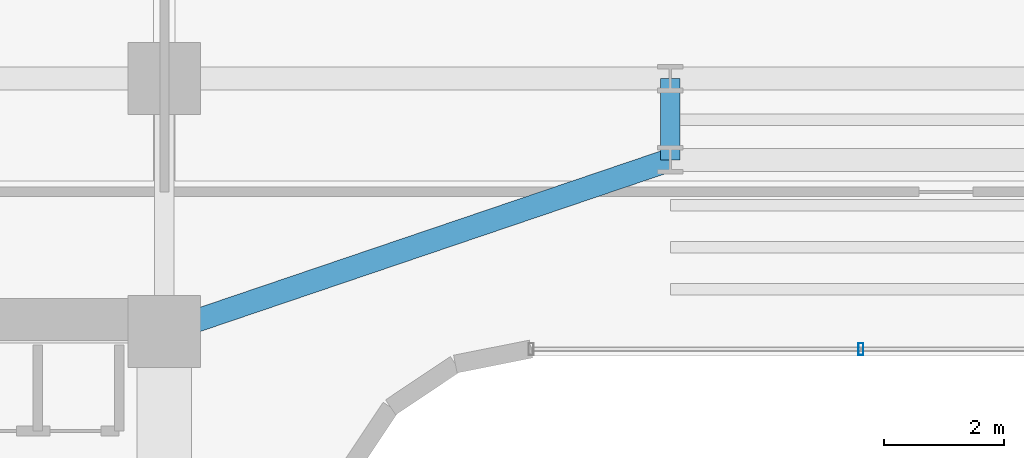
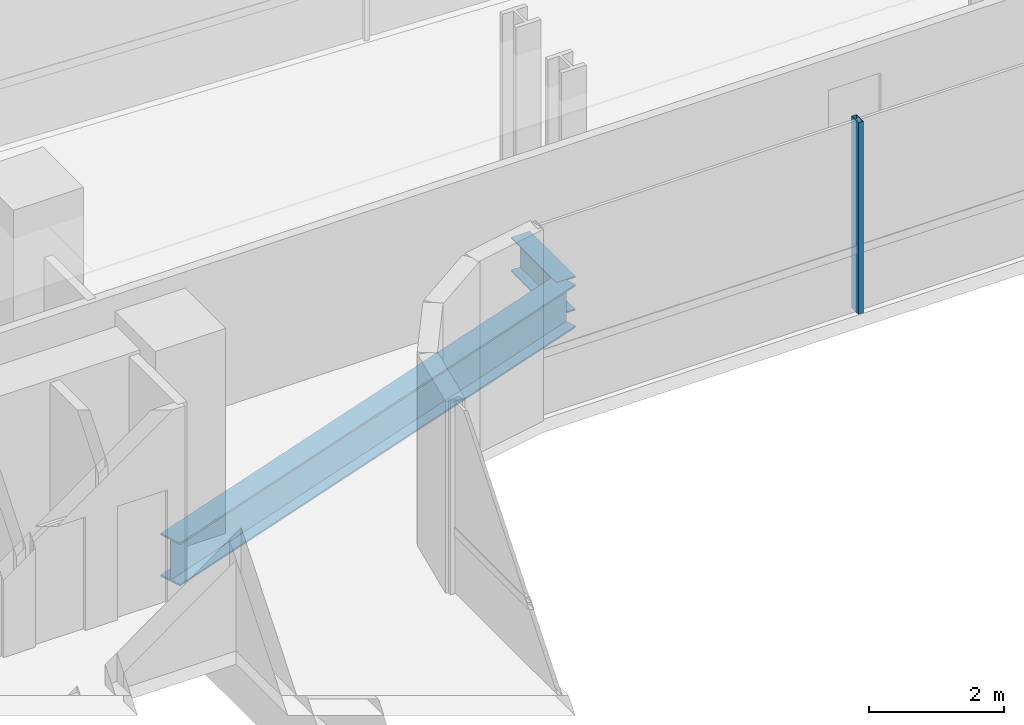
# One storey, part 11 of 35: 2 beams, 1 member, 1 element without a shape of its own.
"""IFC4 building model written with IfcOpenShell, lengths in metres."""

from ifc_helpers import new_model, si_unit, direction, frame, origin, origin_2d, place, context, subcontext, project, spatial, hollow_rectangle, i_section, extrude, source, transform, mapped, material, material_profile, profile_set, type_object, element, aggregate, save


model = new_model("IFC4")

# Units and contexts
model_context = context("Model", 3, precision=1e-05, world=origin(), true_north=direction((0.0, 1.0)))
body_context = subcontext(model_context, "Body", "Model", "MODEL_VIEW")
ifc_project = project(units=[si_unit("LENGTHUNIT", "METRE"), si_unit("AREAUNIT", "SQUARE_METRE"), si_unit("VOLUMEUNIT", "CUBIC_METRE"), si_unit("PLANEANGLEUNIT", "RADIAN"), si_unit("MASSUNIT", "GRAM", prefix="KILO")], contexts=[model_context])

# Site, building, storey
site_placement = place(None, origin())
site = spatial("IfcSite", under=ifc_project, at=site_placement, CompositionType="ELEMENT")
building_placement = place(site_placement, origin())
building = spatial("IfcBuilding", under=site, at=building_placement, Name="Valdorenza Pilgrim Sanctuary Tower", CompositionType="ELEMENT")
storey_placement = place(building_placement, frame((0.0, 0.0, 124.199951171875)))
storey = spatial("IfcBuildingStorey", under=building, at=storey_placement, Name="L31", CompositionType="ELEMENT", Elevation=124.199951171875)

# Beams
ifc_material_1 = material(Name="Steel ASTM A992 Grade 50", Category="steel")
ifc_material_profile_1 = material_profile(ifc_material_1, i_section(OverallWidth=0.323974609375, OverallDepth=0.611083984375, WebThickness=0.0126953125, FlangeThickness=0.01904296875, at=origin_2d()), Name="W24X104")
ifc_profile_set_1 = profile_set([ifc_material_profile_1], Name="Steel ASTM A992 Grade 50")
beam_type_1 = type_object("IfcBeamType", Name="STR-BM-GRD-W24B", PredefinedType="BEAM", material=ifc_profile_set_1)
shared_shape_1 = source(origin(), body_context, "Body", "SweptSolid", [
    extrude(i_section(OverallWidth=0.323974609375, OverallDepth=0.611083984375, WebThickness=0.0126953125, FlangeThickness=0.01904296875, at=origin_2d()), origin(), (0.0, 0.0, 1.0), 1.35009765625),
])
beam_1_placement = place(storey_placement, frame((-4.0, 13.449951171875, -0.54541015625), z_axis=(0.0, 1.0, 0.0), x_axis=(-1.0, 0.0, 0.0)))
element("IfcBeam", 1, at=beam_1_placement, inside=storey, type_object=beam_type_1, Name="L31 Floor Girder KNK-TIE-W", PredefinedType="BEAM", context=body_context, shape_type="MappedRepresentation", body=[
    mapped(shared_shape_1, transform((0.0, 0.0, 0.0), x_axis=(1.0, 0.0, 0.0), y_axis=(0.0, 1.0, 0.0), z_axis=(0.0, 0.0, 1.0), scale=1.0)),
])
ifc_material_profile_2 = material_profile(ifc_material_1, i_section(OverallWidth=0.382080078125, OverallDepth=0.779052734375, WebThickness=0.01806640625, FlangeThickness=0.030029296875, at=origin_2d()), Name="W30X191")
ifc_profile_set_2 = profile_set([ifc_material_profile_2], Name="Steel ASTM A992 Grade 50")
beam_type_2 = type_object("IfcBeamType", Name="STR-BM-GRD-W30", PredefinedType="BEAM", material=ifc_profile_set_2)
shared_shape_2 = source(origin(), body_context, "Body", "SweptSolid", [
    extrude(i_section(OverallWidth=0.382080078125, OverallDepth=0.779052734375, WebThickness=0.01806640625, FlangeThickness=0.030029296875, at=origin_2d()), origin(), (0.0, 0.0, 1.0), 8.8701171875),
])
beam_2_placement = place(storey_placement, frame((-12.39990234375, 10.60009765625, -0.62939453125), z_axis=(0.946982588361, 0.321284885018, 0.0), x_axis=(-0.321284885018, 0.946982588361, 0.0)))
element("IfcBeam", 2, at=beam_2_placement, inside=storey, type_object=beam_type_2, Name="L31 Floor Girder KNK-G1", PredefinedType="BEAM", context=body_context, shape_type="MappedRepresentation", body=[
    mapped(shared_shape_2, transform((0.0, 0.0, 0.0), x_axis=(1.0, 0.0, 0.0), y_axis=(0.0, 1.0, 0.0), z_axis=(0.0, 0.0, 1.0), scale=1.0)),
])

# Curtain wall, member
ifc_material_2 = material(Name="Curtain-wall IGU glazing", Category="glass")
curtain_wall_type = type_object("IfcCurtainWallType", Name="CW-SYS-02", PredefinedType="NOTDEFINED", material=ifc_material_2)
curtain_wall_placement = place(storey_placement, origin())
curtain_wall = element("IfcCurtainWall", 3, at=curtain_wall_placement, inside=storey, type_object=curtain_wall_type, Name="L31 Curtain Wall CW-L31-1-36", PredefinedType="NOTDEFINED")
ifc_material_3 = material(Name="Anodised aluminium AW-6060", Category="aluminium")
ifc_material_profile_3 = material_profile(ifc_material_3, hollow_rectangle(XDim=0.0849609375, YDim=0.199951171875, WallThickness=0.0048828125, at=origin_2d()), Name="ALU-M 200x85x5")
ifc_profile_set_3 = profile_set([ifc_material_profile_3], Name="Anodised aluminium AW-6060")
member_type = type_object("IfcMemberType", Name="CW-MUL-02", PredefinedType="MULLION", material=ifc_profile_set_3)
shared_shape_3 = source(origin(), body_context, "Body", "SweptSolid", [
    extrude(hollow_rectangle(XDim=0.0849609375, YDim=0.199951171875, WallThickness=0.0048828125, at=origin_2d()), origin(), (0.0, 0.0, 1.0), 3.4599609375),
])
member_placement = place(storey_placement, frame((-0.8369140625, 10.31005859375, 0.0), z_axis=(0.0, 0.0, 1.0), x_axis=(-1.0, 0.0, 0.0)))
member = element("IfcMember", 4, at=member_placement, type_object=member_type, Name="CW-L31-1-36 Mullion 3", PredefinedType="MULLION", context=body_context, shape_type="MappedRepresentation", body=[
    mapped(shared_shape_3, transform((0.0, 0.0, 0.0), x_axis=(1.0, 0.0, 0.0), y_axis=(0.0, 1.0, 0.0), z_axis=(0.0, 0.0, 1.0), scale=1.0)),
])
aggregate(curtain_wall, [member])

save(model, "model.ifc")
